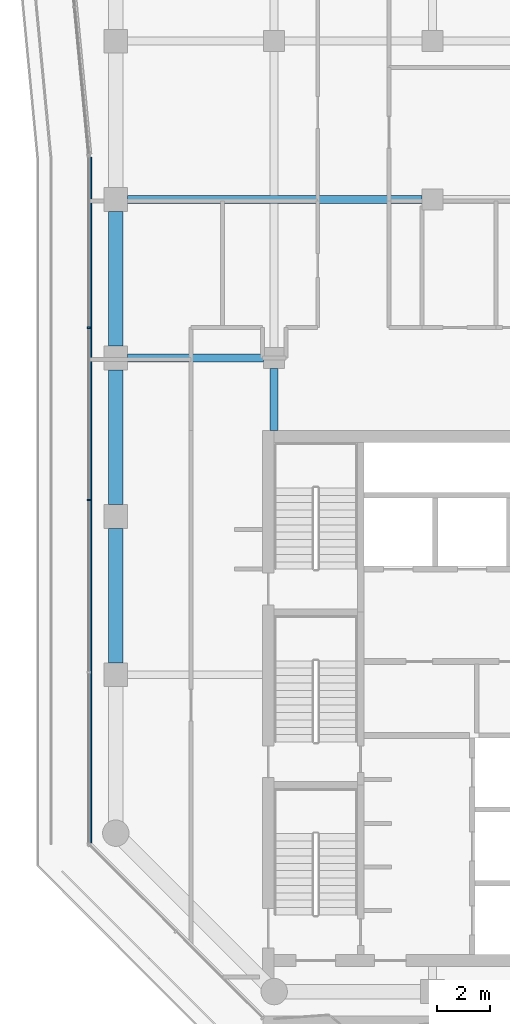
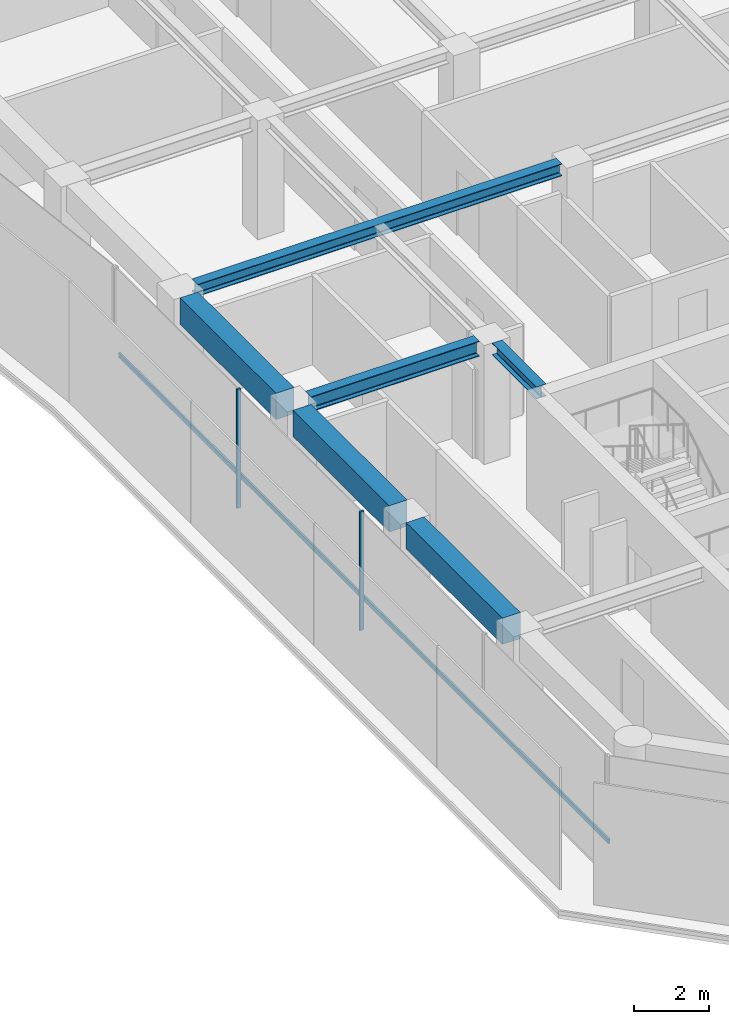
# One storey, part 4 of 23: 6 beams, 3 members, 1 element without a shape of its own.
"""IFC4 building model written with IfcOpenShell, lengths in metres."""

from ifc_helpers import new_model, si_unit, direction, frame, origin, origin_2d, place, context, subcontext, project, spatial, rectangle, i_section, extrude, material, layer, layer_set, material_profile, profile_set, type_object, element, aggregate, save


model = new_model("IFC4")

# Units and contexts
model_context = context("Model", 3, precision=1e-05, world=origin(), true_north=direction((0.0, 1.0)))
body_context = subcontext(model_context, "Body", "Model", "MODEL_VIEW")
ifc_project = project(units=[si_unit("LENGTHUNIT", "METRE"), si_unit("AREAUNIT", "SQUARE_METRE"), si_unit("VOLUMEUNIT", "CUBIC_METRE"), si_unit("PLANEANGLEUNIT", "RADIAN"), si_unit("MASSUNIT", "GRAM", prefix="KILO")], contexts=[model_context])

# Site, building, storey
site_placement = place(None, origin())
site = spatial("IfcSite", under=ifc_project, at=site_placement, CompositionType="ELEMENT")
building_placement = place(site_placement, origin())
building = spatial("IfcBuilding", under=site, at=building_placement, Name="Welwitschia Terrace Campus", CompositionType="ELEMENT")
storey_placement = place(building_placement, frame((0.0, 0.0, 205.39990234375)))
storey = spatial("IfcBuildingStorey", under=building, at=storey_placement, Name="L45", CompositionType="ELEMENT", Elevation=205.39990234375)

# Beams
ifc_material_1 = material(Name="Steel S355", Category="steel")
ifc_material_profile_1 = material_profile(ifc_material_1, i_section(OverallWidth=0.300048828125, OverallDepth=0.389892578125, WebThickness=0.010986328125, FlangeThickness=0.01904296875, FilletRadius=0.027099609375, at=origin_2d()))
ifc_profile_set_1 = profile_set([ifc_material_profile_1], Name="Steel S355")
beam_type_1 = type_object("IfcBeamType", Name="Interior girder HE 400 A", PredefinedType="BEAM", material=ifc_profile_set_1)
beam_1_placement = place(storey_placement, frame((0.4404296875, 34.0, 3.655029296875), z_axis=(1.0, 0.0, 0.0), x_axis=(0.0, 1.0, 0.0)))
element("IfcBeam", 1, at=beam_1_placement, inside=storey, type_object=beam_type_1, Name="Girder GB5", PredefinedType="BEAM", context=body_context, shape_type="SweptSolid", body=[
    extrude(i_section(OverallWidth=0.300048828125, OverallDepth=0.389892578125, WebThickness=0.010986328125, FlangeThickness=0.01904296875, FilletRadius=0.027099609375, at=origin_2d()), origin(), (0.0, 0.0, 1.0), 11.1591796875),
])
beam_2_placement = place(storey_placement, frame((6.0, 25.2509765625, 3.655029296875), z_axis=(0.0, 1.0, 0.0), x_axis=(-1.0, 0.0, 0.0)))
element("IfcBeam", 2, at=beam_2_placement, inside=storey, type_object=beam_type_1, Name="Girder GB5", PredefinedType="BEAM", context=body_context, shape_type="SweptSolid", body=[
    extrude(i_section(OverallWidth=0.300048828125, OverallDepth=0.389892578125, WebThickness=0.010986328125, FlangeThickness=0.01904296875, FilletRadius=0.027099609375, at=origin_2d()), origin(), (0.0, 0.0, 1.0), 2.3486328125),
])

# Curtain wall, members
ifc_material_2 = material(Name="Bronze anodised aluminium", Category="aluminium")
ifc_layer = layer(ifc_material_2, 0.1201171875)
ifc_layer_set = layer_set([ifc_layer], Name="Bronze anodised aluminium")
curtain_wall_type = type_object("IfcCurtainWallType", Name="Curtain wall CW2 tower 6000", PredefinedType="NOTDEFINED", material=ifc_layer_set)
curtain_wall_placement = place(storey_placement, origin())
curtain_wall = element("IfcCurtainWall", 3, at=curtain_wall_placement, inside=storey, type_object=curtain_wall_type, Name="CW L45.0.0", PredefinedType="NOTDEFINED")
ifc_material_3 = material(Name="Bronze anodised aluminium", Category="aluminium")
ifc_material_profile_2 = material_profile(ifc_material_3, rectangle(XDim=0.1201171875, YDim=0.06005859375, at=origin_2d()))
ifc_profile_set_2 = profile_set([ifc_material_profile_2], Name="Bronze anodised aluminium")
member_type_1 = type_object("IfcMemberType", Name="Mullion 60x120", PredefinedType="MULLION", material=ifc_profile_set_2)
member_1_placement = place(storey_placement, frame((-1.030029296875, 29.14404296875, 0.0), z_axis=(0.0, 0.0, 1.0), x_axis=(1.0, 0.0, 0.0)))
member_1 = element("IfcMember", 4, at=member_1_placement, type_object=member_type_1, Name="Mullion L45.0.0.1", PredefinedType="MULLION", context=body_context, shape_type="SweptSolid", body=[
    extrude(rectangle(XDim=0.1201171875, YDim=0.06005859375, at=origin_2d()), origin(), (0.0, 0.0, 1.0), 3.85009765625),
])
member_2_placement = place(storey_placement, frame((-1.030029296875, 22.620361328125, 0.0), z_axis=(0.0, 0.0, 1.0), x_axis=(1.0, 0.0, 0.0)))
member_2 = element("IfcMember", 5, at=member_2_placement, type_object=member_type_1, Name="Mullion L45.0.0.2", PredefinedType="MULLION", context=body_context, shape_type="SweptSolid", body=[
    extrude(rectangle(XDim=0.1201171875, YDim=0.06005859375, at=origin_2d()), origin(), (0.0, 0.0, 1.0), 3.85009765625),
])

# Beams
ifc_material_4 = material(Name="Steel S355", Category="steel")
ifc_material_profile_3 = material_profile(ifc_material_4, i_section(OverallWidth=0.300048828125, OverallDepth=0.489990234375, WebThickness=0.011962890625, FlangeThickness=0.02294921875, FilletRadius=0.027099609375, at=origin_2d()))
ifc_profile_set_3 = profile_set([ifc_material_profile_3], Name="Steel S355")
beam_type_2 = type_object("IfcBeamType", Name="Primary beam HE 500 A", PredefinedType="BEAM", material=ifc_profile_set_3)
beam_3_placement = place(storey_placement, frame((0.450439453125, 28.0, 3.60498046875), z_axis=(1.0, 0.0, 0.0), x_axis=(0.0, 1.0, 0.0)))
element("IfcBeam", 6, at=beam_3_placement, inside=storey, type_object=beam_type_2, Name="Primary beam PB5", PredefinedType="BEAM", context=body_context, shape_type="SweptSolid", body=[
    extrude(i_section(OverallWidth=0.300048828125, OverallDepth=0.489990234375, WebThickness=0.011962890625, FlangeThickness=0.02294921875, FilletRadius=0.027099609375, at=origin_2d()), origin(), (0.0, 0.0, 1.0), 5.149169921875),
])
ifc_material_5 = material(Name="Concrete C50/60", Category="concrete")
ifc_material_profile_4 = material_profile(ifc_material_5, rectangle(XDim=0.550048828125, YDim=0.85009765625, at=origin_2d()))
ifc_profile_set_4 = profile_set([ifc_material_profile_4], Name="Concrete C50/60")
beam_type_3 = type_object("IfcBeamType", Name="Ring spandrel 550x850", PredefinedType="SPANDREL", material=ifc_profile_set_4)
for number, where, z_axis, x_axis, name in (
    (7, (0.0, 33.549560546875, 3.425048828125), (0.0, -1.0, 0.0), (1.0, 0.0, 0.0), "Spandrel SP3"),
    (8, (0.0, 27.549560546875, 3.425048828125), (0.0, -1.0, 0.0), (1.0, 0.0, 0.0), "Spandrel SP3"),
    (9, (0.0, 21.549560546875, 3.425048828125), (0.0, -1.0, 0.0), (1.0, 0.0, 0.0), "Spandrel SP3"),
):
    element("IfcBeam", number, at=place(storey_placement, frame(where, z_axis=z_axis, x_axis=x_axis)), inside=storey, type_object=beam_type_3, Name=name, PredefinedType="SPANDREL", context=body_context, shape_type="SweptSolid", body=[
        extrude(rectangle(XDim=0.550048828125, YDim=0.85009765625, at=origin_2d()), origin(), (0.0, 0.0, 1.0), 5.09912109375),
    ])

# Member
ifc_material_6 = material(Name="Bronze anodised aluminium", Category="aluminium")
ifc_material_profile_5 = material_profile(ifc_material_6, rectangle(XDim=0.06005859375, YDim=0.14990234375, at=origin_2d()))
ifc_profile_set_5 = profile_set([ifc_material_profile_5], Name="Bronze anodised aluminium")
member_type_2 = type_object("IfcMemberType", Name="Transom 60x150", PredefinedType="USERDEFINED", material=ifc_profile_set_5)
member_3_placement = place(storey_placement, frame((-0.93994140625, 35.607421875, 1.0), z_axis=(0.0, -1.0, 0.0), x_axis=(1.0, 0.0, 0.0)))
member_3 = element("IfcMember", 10, at=member_3_placement, type_object=member_type_2, Name="Transom L45.0.0", ObjectType="TRANSOM", PredefinedType="USERDEFINED", context=body_context, shape_type="SweptSolid", body=[
    extrude(rectangle(XDim=0.06005859375, YDim=0.14990234375, at=origin_2d()), origin(), (0.0, 0.0, 1.0), 25.97412109375),
])

aggregate(curtain_wall, [member_1, member_2, member_3])

save(model, "model.ifc")
